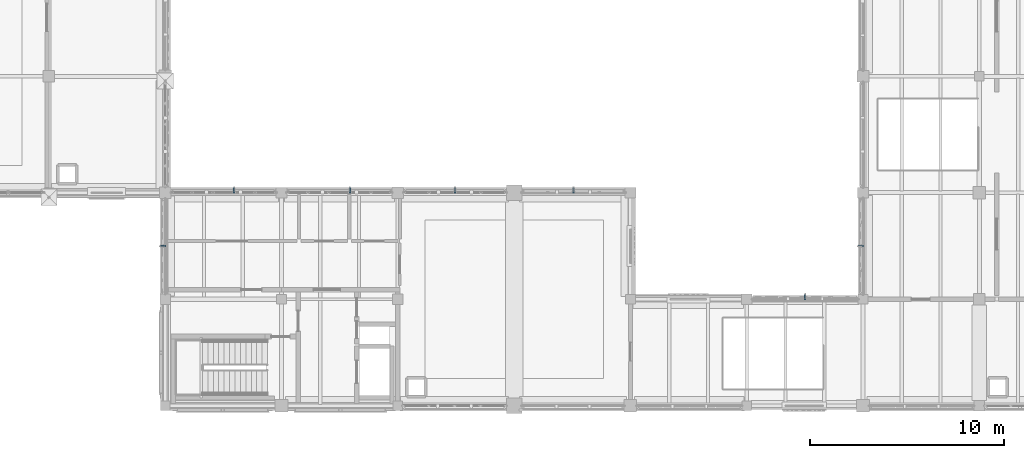
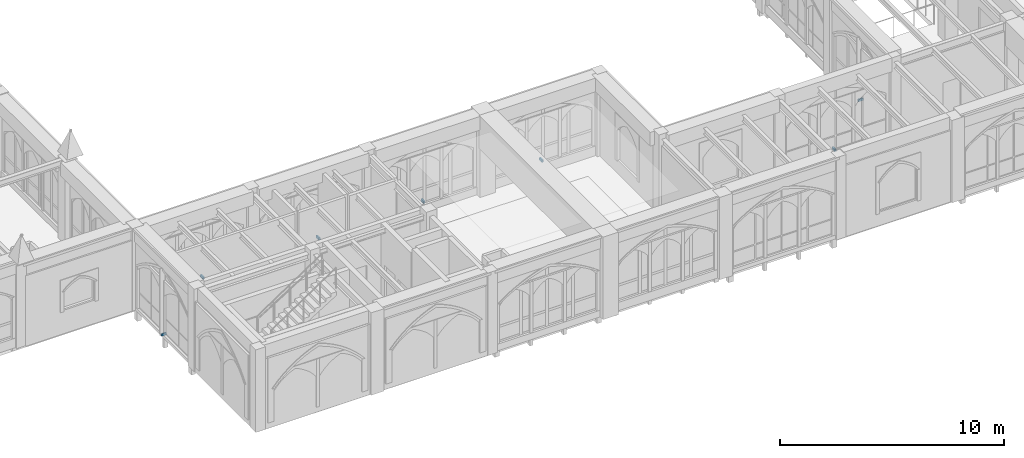
# One storey, part 86 of 127: 7 discrete accessories.
"""IFC4 building model written with IfcOpenShell, lengths in metres."""

from ifc_helpers import new_model, si_unit, direction, frame, origin, origin_2d, place, context, subcontext, project, spatial, rectangle, extrude, material, type_object, element, save


model = new_model("IFC4")

# Units and contexts
model_context = context("Model", 3, precision=1e-05, world=origin(), true_north=direction((0.0, 1.0)))
body_context = subcontext(model_context, "Body", "Model", "MODEL_VIEW")
ifc_project = project(units=[si_unit("LENGTHUNIT", "METRE"), si_unit("AREAUNIT", "SQUARE_METRE"), si_unit("VOLUMEUNIT", "CUBIC_METRE"), si_unit("PLANEANGLEUNIT", "RADIAN"), si_unit("MASSUNIT", "GRAM", prefix="KILO")], contexts=[model_context])

# Site, building, storey
site_placement = place(None, origin())
site = spatial("IfcSite", under=ifc_project, at=site_placement, CompositionType="ELEMENT")
building_placement = place(site_placement, origin())
building = spatial("IfcBuilding", under=site, at=building_placement, Name="Cumevento Cable Car Station", CompositionType="ELEMENT")
storey_placement = place(building_placement, frame((0.0, 0.0, 4.5)))
storey = spatial("IfcBuildingStorey", under=building, at=storey_placement, Name="L02", CompositionType="ELEMENT", Elevation=4.5)

# Discrete accessories
ifc_material = material(Name="Steel ASTM A572 Grade 50", Category="steel")
discrete_accessory_type = type_object("IfcDiscreteAccessoryType", Name="Fin Support Bracket BK-01", PredefinedType="BRACKET", material=ifc_material)
for number, where, z_axis, x_axis, name in (
    (1, (25.554931640625, 15.110107421875, 0.219970703125), (0.0, 0.0, 1.0), (1.0, 0.0, 0.0), "Solar Fin Bracket #13"),
    (2, (31.530029296875, 15.110107421875, 0.27001953125), (0.0, 0.0, 1.0), (1.0, 0.0, 0.0), "Solar Fin Bracket #14"),
    (3, (36.949951171875, 15.110107421875, 0.369873046875), (0.0, 0.0, 1.0), (1.0, 0.0, 0.0), "Solar Fin Bracket #15"),
    (4, (43.0625, 15.110107421875, 0.47998046875), (0.0, 0.0, 1.0), (1.0, 0.0, 0.0), "Solar Fin Bracket #16"),
    (5, (21.889892578125, 12.237548828125, 0.119873046875), (0.0, 0.0, 1.0), (0.0, 1.0, 0.0), "Solar Fin Bracket #17"),
    (6, (55.012451171875, 9.610107421875, 0.219970703125), (0.0, 0.0, 1.0), (1.0, 0.0, 0.0), "Solar Fin Bracket #18"),
    (7, (57.889892578125, 12.237548828125, 0.31982421875), (0.0, 0.0, 1.0), (0.0, 1.0, 0.0), "Solar Fin Bracket #23"),
):
    element("IfcDiscreteAccessory", number, at=place(storey_placement, frame(where, z_axis=z_axis, x_axis=x_axis)), inside=storey, type_object=discrete_accessory_type, Name=name, PredefinedType="BRACKET", context=body_context, shape_type="SweptSolid", body=[
        extrude(rectangle(XDim=0.080078125, YDim=0.260009765625, at=origin_2d()), origin(), (0.0, 0.0, 1.0), 0.1201171875),
    ])

save(model, "model.ifc")
